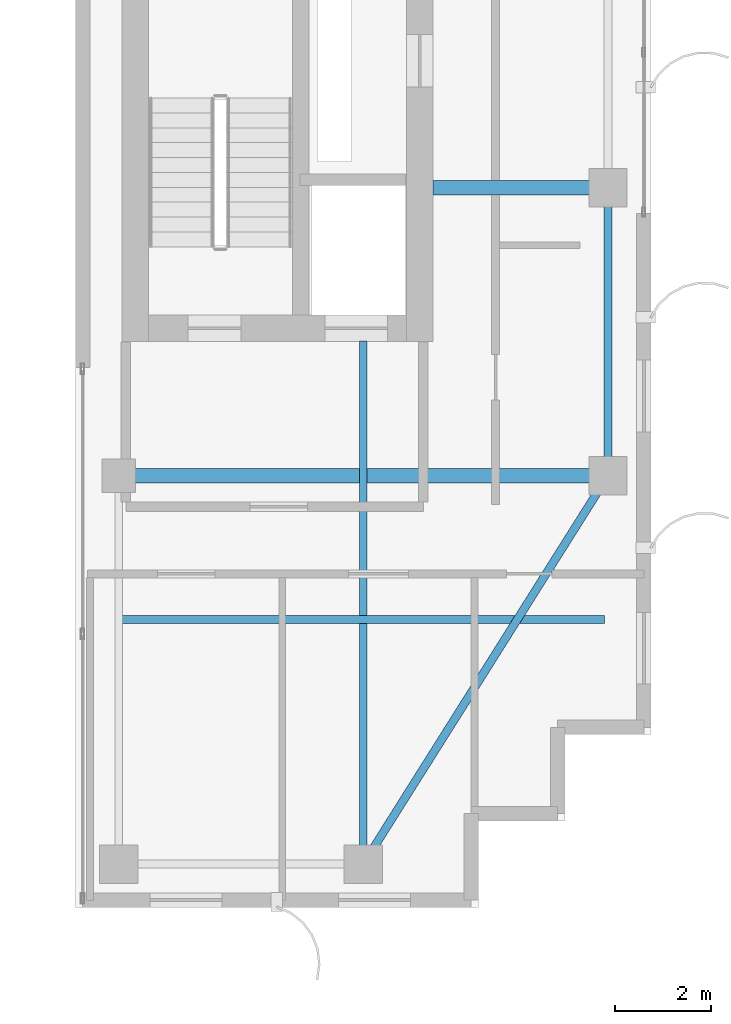
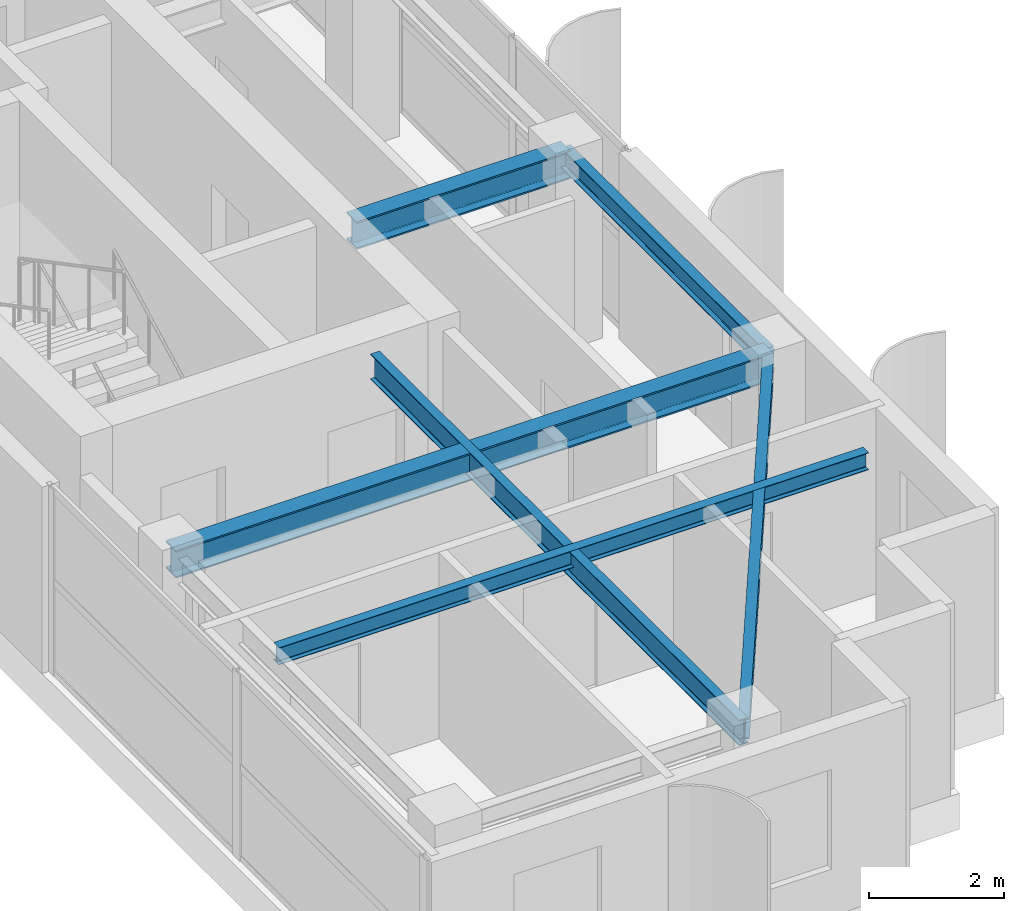
# One storey, part 11 of 24: 6 beams.
"""IFC4 building model written with IfcOpenShell, lengths in metres."""

from ifc_helpers import new_model, si_unit, direction, frame, origin, origin_2d, place, context, subcontext, project, spatial, i_section, extrude, source, transform, mapped, material, material_profile, profile_set, type_object, element, save


model = new_model("IFC4")

# Units and contexts
model_context = context("Model", 3, precision=1e-05, world=origin(), true_north=direction((0.0, 1.0)))
body_context = subcontext(model_context, "Body", "Model", "MODEL_VIEW")
ifc_project = project(units=[si_unit("LENGTHUNIT", "METRE"), si_unit("AREAUNIT", "SQUARE_METRE"), si_unit("VOLUMEUNIT", "CUBIC_METRE"), si_unit("PLANEANGLEUNIT", "RADIAN"), si_unit("MASSUNIT", "GRAM", prefix="KILO")], contexts=[model_context])

# Site, building, storey
site_placement = place(None, origin())
site = spatial("IfcSite", under=ifc_project, at=site_placement, CompositionType="ELEMENT")
building_placement = place(site_placement, origin())
building = spatial("IfcBuilding", under=site, at=building_placement, Name="Khoralis Quay Care Tower", CompositionType="ELEMENT")
storey_placement = place(building_placement, frame((0.0, 0.0, 227.699951171875)))
storey = spatial("IfcBuildingStorey", under=building, at=storey_placement, Name="L59", CompositionType="ELEMENT", Elevation=227.699951171875)

# Beams
ifc_material = material(Name="Steel S355", Category="steel")
ifc_material_profile_1 = material_profile(ifc_material, i_section(OverallWidth=0.169921875, OverallDepth=0.360107421875, WebThickness=0.008056640625, FlangeThickness=0.0126953125, FilletRadius=0.01806640625, at=origin_2d()), Name="Steel S355")
ifc_profile_set_1 = profile_set([ifc_material_profile_1], Name="Steel S355")
beam_type_1 = type_object("IfcBeamType", Name="BM-IPE360", PredefinedType="SPANDREL", material=ifc_profile_set_1)
shared_shape_1 = source(origin(), body_context, "Body", "SweptSolid", [
    extrude(i_section(OverallWidth=0.169921875, OverallDepth=0.360107421875, WebThickness=0.008056640625, FlangeThickness=0.0126953125, FilletRadius=0.01806640625, at=origin_2d()), origin(), (0.0, 0.0, 1.0), 6.0),
])
beam_1_placement = place(storey_placement, frame((41.10009765625, 12.0, 3.179931640625), z_axis=(0.0, 1.0, 0.0), x_axis=(-1.0, 0.0, 0.0)))
element("IfcBeam", 1, at=beam_1_placement, inside=storey, type_object=beam_type_1, Name="BM-TSP-L59-09", PredefinedType="SPANDREL", context=body_context, shape_type="MappedRepresentation", body=[
    mapped(shared_shape_1, transform((0.0, 0.0, 0.0), scale=1.0)),
])
shared_shape_2 = source(origin(), body_context, "Body", "SweptSolid", [
    extrude(i_section(OverallWidth=0.169921875, OverallDepth=0.360107421875, WebThickness=0.008056640625, FlangeThickness=0.0126953125, FilletRadius=0.01806640625, at=origin_2d()), origin(), (0.0, 0.0, 1.0), 9.572021484375),
])
beam_2_placement = place(storey_placement, frame((36.0, 3.89990234375, 3.179931640625), z_axis=(0.532815975602, 0.846231136359, 0.0), x_axis=(-0.846231136359, 0.532815975602, 0.0)))
element("IfcBeam", 2, at=beam_2_placement, inside=storey, type_object=beam_type_1, Name="BM-TCR-L59-14", PredefinedType="SPANDREL", context=body_context, shape_type="MappedRepresentation", body=[
    mapped(shared_shape_2, transform((0.0, 0.0, 0.0), scale=1.0)),
])
ifc_material_profile_2 = material_profile(ifc_material, i_section(OverallWidth=0.300048828125, OverallDepth=0.5, WebThickness=0.014404296875, FlangeThickness=0.028076171875, FilletRadius=0.027099609375, at=origin_2d()), Name="Steel S355")
ifc_profile_set_2 = profile_set([ifc_material_profile_2], Name="Steel S355")
beam_type_2 = type_object("IfcBeamType", Name="BM-HEB500", PredefinedType="BEAM", material=ifc_profile_set_2)
shared_shape_3 = source(origin(), body_context, "Body", "SweptSolid", [
    extrude(i_section(OverallWidth=0.300048828125, OverallDepth=0.5, WebThickness=0.014404296875, FlangeThickness=0.028076171875, FilletRadius=0.027099609375, at=origin_2d()), origin(), (0.0, 0.0, 1.0), 10.2001953125),
])
beam_3_placement = place(storey_placement, frame((30.89990234375, 12.0, 3.110107421875), z_axis=(1.0, 0.0, 0.0), x_axis=(0.0, 1.0, 0.0)))
element("IfcBeam", 3, at=beam_3_placement, inside=storey, type_object=beam_type_2, Name="BM-TGXE-L59-120", PredefinedType="BEAM", context=body_context, shape_type="MappedRepresentation", body=[
    mapped(shared_shape_3, transform((0.0, 0.0, 0.0), scale=1.0)),
])
shared_shape_4 = source(origin(), body_context, "Body", "SweptSolid", [
    extrude(i_section(OverallWidth=0.300048828125, OverallDepth=0.5, WebThickness=0.014404296875, FlangeThickness=0.028076171875, FilletRadius=0.027099609375, at=origin_2d()), origin(), (0.0, 0.0, 1.0), 3.652099609375),
])
beam_4_placement = place(storey_placement, frame((37.447998046875, 18.0, 3.110107421875), z_axis=(1.0, 0.0, 0.0), x_axis=(0.0, 1.0, 0.0)))
element("IfcBeam", 4, at=beam_4_placement, inside=storey, type_object=beam_type_2, Name="BM-TGXE-L59-180", PredefinedType="BEAM", context=body_context, shape_type="MappedRepresentation", body=[
    mapped(shared_shape_4, transform((0.0, 0.0, 0.0), scale=1.0)),
])
ifc_material_profile_3 = material_profile(ifc_material, i_section(OverallWidth=0.154052734375, OverallDepth=0.458984375, WebThickness=0.009033203125, FlangeThickness=0.015380859375, FilletRadius=0.014892578125, at=origin_2d()), Name="Steel S355")
ifc_profile_set_3 = profile_set([ifc_material_profile_3], Name="Steel S355")
beam_type_3 = type_object("IfcBeamType", Name="BM-W460X68", PredefinedType="BEAM", material=ifc_profile_set_3)
shared_shape_5 = source(origin(), body_context, "Body", "SweptSolid", [
    extrude(i_section(OverallWidth=0.154052734375, OverallDepth=0.458984375, WebThickness=0.009033203125, FlangeThickness=0.015380859375, FilletRadius=0.014892578125, at=origin_2d()), origin(), (0.0, 0.0, 1.0), 10.902099609375),
])
beam_5_placement = place(storey_placement, frame((36.0, 3.89990234375, 3.130615234375), z_axis=(0.0, 1.0, 0.0), x_axis=(-1.0, 0.0, 0.0)))
element("IfcBeam", 5, at=beam_5_placement, inside=storey, type_object=beam_type_3, Name="BM-TGYS-L59-360", PredefinedType="BEAM", context=body_context, shape_type="MappedRepresentation", body=[
    mapped(shared_shape_5, transform((0.0, 0.0, 0.0), scale=1.0)),
])
ifc_material_profile_4 = material_profile(ifc_material, i_section(OverallWidth=0.1650390625, OverallDepth=0.31005859375, WebThickness=0.005859375, FlangeThickness=0.009765625, FilletRadius=0.011962890625, at=origin_2d()), Name="Steel S355")
ifc_profile_set_4 = profile_set([ifc_material_profile_4], Name="Steel S355")
beam_type_4 = type_object("IfcBeamType", Name="BM-W310X39", PredefinedType="JOIST", material=ifc_profile_set_4)
shared_shape_6 = source(origin(), body_context, "Body", "SweptSolid", [
    extrude(i_section(OverallWidth=0.1650390625, OverallDepth=0.31005859375, WebThickness=0.005859375, FlangeThickness=0.009765625, FilletRadius=0.011962890625, at=origin_2d()), origin(), (0.0, 0.0, 1.0), 10.06396484375),
])
beam_6_placement = place(storey_placement, frame((30.965087890625, 9.0, 3.205078125), z_axis=(1.0, 0.0, 0.0), x_axis=(0.0, 1.0, 0.0)))
element("IfcBeam", 6, at=beam_6_placement, inside=storey, type_object=beam_type_4, Name="BM-TJS-L59-18", PredefinedType="JOIST", context=body_context, shape_type="MappedRepresentation", body=[
    mapped(shared_shape_6, transform((0.0, 0.0, 0.0), scale=1.0)),
])

save(model, "model.ifc")
